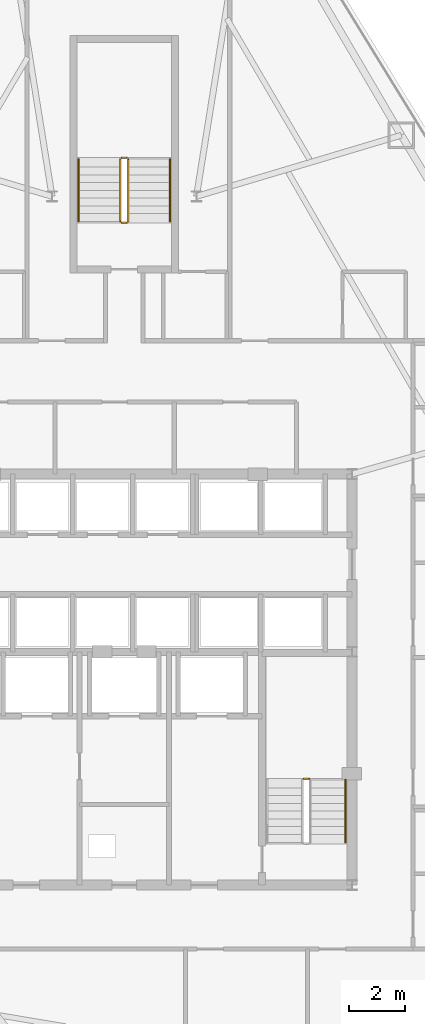
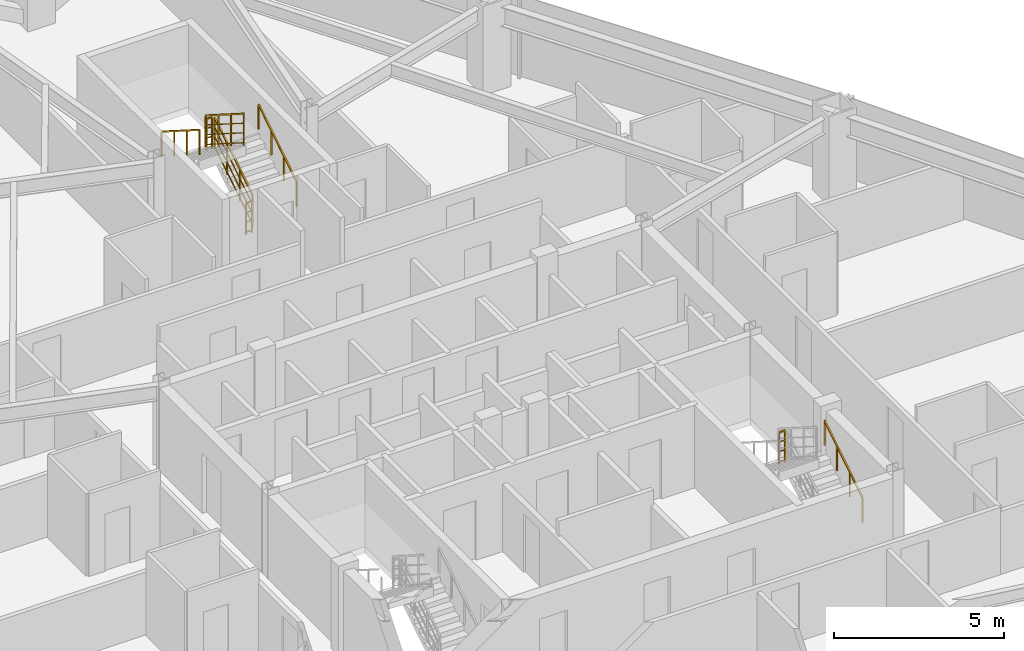
# One storey, part 13 of 13: 8 railings.
"""IFC4 building model written with IfcOpenShell, lengths in metres."""

from ifc_helpers import new_model, si_unit, direction, frame, origin, origin_2d, place, context, subcontext, project, spatial, rectangle, extrude, material, type_object, element, save


model = new_model("IFC4")

# Units and contexts
model_context = context("Model", 3, precision=1e-05, world=origin(), true_north=direction((0.0, 1.0)))
body_context = subcontext(model_context, "Body", "Model", "MODEL_VIEW")
ifc_project = project(units=[si_unit("LENGTHUNIT", "METRE"), si_unit("AREAUNIT", "SQUARE_METRE"), si_unit("VOLUMEUNIT", "CUBIC_METRE"), si_unit("PLANEANGLEUNIT", "RADIAN"), si_unit("MASSUNIT", "GRAM", prefix="KILO")], contexts=[model_context])

# Site, building, storey
site_placement = place(None, origin())
site = spatial("IfcSite", under=ifc_project, at=site_placement, CompositionType="ELEMENT")
building_placement = place(site_placement, origin())
building = spatial("IfcBuilding", under=site, at=building_placement, Name="Varakhsha Concourse Tower", CompositionType="ELEMENT")
storey_placement = place(building_placement, frame((0.0, 0.0, 102.199951171875)))
storey = spatial("IfcBuildingStorey", under=building, at=storey_placement, Name="L29", CompositionType="ELEMENT", Elevation=102.199951171875)

# Railings
ifc_material = material(Name="Brushed Austenitic Stainless Steel AISI 316", Category="steel")
railing_type_1 = type_object("IfcRailingType", Name="RL-STAIR-GUARD-1100", PredefinedType="GUARDRAIL", material=ifc_material)
railing_1_placement = place(storey_placement, frame((46.659912109375, 20.22998046875, 1.60009765625)))
element("IfcRailing", 1, at=railing_1_placement, inside=storey, type_object=railing_type_1, Name="L29 ST2 stair guard 2", PredefinedType="GUARDRAIL", context=body_context, shape_type="SweptSolid", body=[
    extrude(rectangle(XDim=0.048095703125, YDim=0.048095703125, at=origin_2d()), frame((0.0, 0.0, 1.1259765625), z_axis=(-1.0, 0.0, 0.0), x_axis=(0.0, -1.0, 0.0)), (0.0, 0.0, 1.0), 0.199951171875),
    extrude(rectangle(XDim=0.028076171875, YDim=0.028076171875, at=origin_2d()), frame((0.0, 0.0, 0.080078125), z_axis=(-1.0, 0.0, 0.0), x_axis=(0.0, -1.0, 0.0)), (0.0, 0.0, 1.0), 0.199951171875),
    extrude(rectangle(XDim=0.028076171875, YDim=0.028076171875, at=origin_2d()), frame((0.0, 0.0, 0.43701171875), z_axis=(-1.0, 0.0, 0.0), x_axis=(0.0, -1.0, 0.0)), (0.0, 0.0, 1.0), 0.199951171875),
    extrude(rectangle(XDim=0.028076171875, YDim=0.028076171875, at=origin_2d()), frame((0.0, 0.0, 0.781982421875), z_axis=(-1.0, 0.0, 0.0), x_axis=(0.0, -1.0, 0.0)), (0.0, 0.0, 1.0), 0.199951171875),
    extrude(rectangle(XDim=0.0419921875, YDim=0.0419921875, at=origin_2d()), origin(), (0.0, 0.0, 1.0), 1.101806640625),
    extrude(rectangle(XDim=0.0419921875, YDim=0.0419921875, at=origin_2d()), frame((-0.199951171875, 0.0, 0.0)), (0.0, 0.0, 1.0), 1.101806640625),
])
railing_2_placement = place(storey_placement, frame((40.14990234375, 40.300048828125, 0.177734375)))
element("IfcRailing", 2, at=railing_2_placement, inside=storey, type_object=railing_type_1, Name="L29 ST5 stair guard 1", PredefinedType="GUARDRAIL", context=body_context, shape_type="SweptSolid", body=[
    extrude(rectangle(XDim=0.048095703125, YDim=0.048095703125, at=origin_2d()), frame((0.0, 0.0, 1.1259765625), z_axis=(0.0, 0.84418770128, 0.536047689118), x_axis=(-1.0, 0.0, 0.0)), (0.0, 0.0, 1.0), 2.6533203125),
    extrude(rectangle(XDim=0.028076171875, YDim=0.028076171875, at=origin_2d()), frame((0.0, 0.0, 0.080078125), z_axis=(0.0, 0.84418770128, 0.536047689118), x_axis=(-1.0, 0.0, 0.0)), (0.0, 0.0, 1.0), 2.6533203125),
    extrude(rectangle(XDim=0.028076171875, YDim=0.028076171875, at=origin_2d()), frame((0.0, 0.0, 0.43701171875), z_axis=(0.0, 0.84418770128, 0.536047689118), x_axis=(-1.0, 0.0, 0.0)), (0.0, 0.0, 1.0), 2.6533203125),
    extrude(rectangle(XDim=0.028076171875, YDim=0.028076171875, at=origin_2d()), frame((0.0, 0.0, 0.781982421875), z_axis=(0.0, 0.84418770128, 0.536047689118), x_axis=(-1.0, 0.0, 0.0)), (0.0, 0.0, 1.0), 2.6533203125),
    extrude(rectangle(XDim=0.0419921875, YDim=0.0419921875, at=origin_2d()), origin(), (0.0, 0.0, 1.0), 1.101806640625),
    extrude(rectangle(XDim=0.0419921875, YDim=0.0419921875, at=origin_2d()), frame((0.0, 0.74658203125, 0.47412109375)), (0.0, 0.0, 1.0), 1.101806640625),
    extrude(rectangle(XDim=0.0419921875, YDim=0.0419921875, at=origin_2d()), frame((0.0, 1.493408203125, 0.9482421875)), (0.0, 0.0, 1.0), 1.101806640625),
    extrude(rectangle(XDim=0.0419921875, YDim=0.0419921875, at=origin_2d()), frame((0.0, 2.239990234375, 1.42236328125)), (0.0, 0.0, 1.0), 1.101806640625),
])
railing_3_placement = place(storey_placement, frame((40.10009765625, 42.590087890625, 1.60009765625)))
element("IfcRailing", 3, at=railing_3_placement, inside=storey, type_object=railing_type_1, Name="L29 ST5 stair guard 2", PredefinedType="GUARDRAIL", context=body_context, shape_type="SweptSolid", body=[
    extrude(rectangle(XDim=0.048095703125, YDim=0.048095703125, at=origin_2d()), frame((0.0, 0.0, 1.1259765625), z_axis=(-1.0, 0.0, 0.0), x_axis=(0.0, -1.0, 0.0)), (0.0, 0.0, 1.0), 0.2001953125),
    extrude(rectangle(XDim=0.028076171875, YDim=0.028076171875, at=origin_2d()), frame((0.0, 0.0, 0.080078125), z_axis=(-1.0, 0.0, 0.0), x_axis=(0.0, -1.0, 0.0)), (0.0, 0.0, 1.0), 0.2001953125),
    extrude(rectangle(XDim=0.028076171875, YDim=0.028076171875, at=origin_2d()), frame((0.0, 0.0, 0.43701171875), z_axis=(-1.0, 0.0, 0.0), x_axis=(0.0, -1.0, 0.0)), (0.0, 0.0, 1.0), 0.2001953125),
    extrude(rectangle(XDim=0.028076171875, YDim=0.028076171875, at=origin_2d()), frame((0.0, 0.0, 0.781982421875), z_axis=(-1.0, 0.0, 0.0), x_axis=(0.0, -1.0, 0.0)), (0.0, 0.0, 1.0), 0.2001953125),
    extrude(rectangle(XDim=0.0419921875, YDim=0.0419921875, at=origin_2d()), origin(), (0.0, 0.0, 1.0), 1.101806640625),
    extrude(rectangle(XDim=0.0419921875, YDim=0.0419921875, at=origin_2d()), frame((-0.2001953125, 0.0, 0.0)), (0.0, 0.0, 1.0), 1.101806640625),
])
railing_4_placement = place(storey_placement, frame((39.85009765625, 42.5400390625, 1.77783203125)))
element("IfcRailing", 4, at=railing_4_placement, inside=storey, type_object=railing_type_1, Name="L29 ST5 stair guard 3", PredefinedType="GUARDRAIL", context=body_context, shape_type="SweptSolid", body=[
    extrude(rectangle(XDim=0.048095703125, YDim=0.048095703125, at=origin_2d()), frame((0.0, 0.0, 1.1259765625), z_axis=(0.0, -0.8442293374, 0.53598211339), x_axis=(1.0, 0.0, 0.0)), (0.0, 0.0, 1.0), 2.6533203125),
    extrude(rectangle(XDim=0.028076171875, YDim=0.028076171875, at=origin_2d()), frame((0.0, 0.0, 0.080078125), z_axis=(0.0, -0.8442293374, 0.53598211339), x_axis=(1.0, 0.0, 0.0)), (0.0, 0.0, 1.0), 2.6533203125),
    extrude(rectangle(XDim=0.028076171875, YDim=0.028076171875, at=origin_2d()), frame((0.0, 0.0, 0.43701171875), z_axis=(0.0, -0.8442293374, 0.53598211339), x_axis=(1.0, 0.0, 0.0)), (0.0, 0.0, 1.0), 2.6533203125),
    extrude(rectangle(XDim=0.028076171875, YDim=0.028076171875, at=origin_2d()), frame((0.0, 0.0, 0.781982421875), z_axis=(0.0, -0.8442293374, 0.53598211339), x_axis=(1.0, 0.0, 0.0)), (0.0, 0.0, 1.0), 2.6533203125),
    extrude(rectangle(XDim=0.0419921875, YDim=0.0419921875, at=origin_2d()), origin(), (0.0, 0.0, 1.0), 1.101806640625),
    extrude(rectangle(XDim=0.0419921875, YDim=0.0419921875, at=origin_2d()), frame((0.0, -0.74658203125, 0.47412109375)), (0.0, 0.0, 1.0), 1.101806640625),
    extrude(rectangle(XDim=0.0419921875, YDim=0.0419921875, at=origin_2d()), frame((0.0, -1.493408203125, 0.947998046875)), (0.0, 0.0, 1.0), 1.101806640625),
    extrude(rectangle(XDim=0.0419921875, YDim=0.0419921875, at=origin_2d()), frame((0.0, -2.239990234375, 1.422119140625)), (0.0, 0.0, 1.0), 1.101806640625),
])
railing_5_placement = place(storey_placement, frame((40.10009765625, 40.25, 0.0)))
element("IfcRailing", 5, at=railing_5_placement, inside=storey, type_object=railing_type_1, Name="L29 ST5 stair guard 4", PredefinedType="GUARDRAIL", context=body_context, shape_type="SweptSolid", body=[
    extrude(rectangle(XDim=0.048095703125, YDim=0.048095703125, at=origin_2d()), frame((0.0, 0.0, 1.1259765625), z_axis=(-1.0, 0.0, 0.0), x_axis=(0.0, -1.0, 0.0)), (0.0, 0.0, 1.0), 0.2001953125),
    extrude(rectangle(XDim=0.028076171875, YDim=0.028076171875, at=origin_2d()), frame((0.0, 0.0, 0.080078125), z_axis=(-1.0, 0.0, 0.0), x_axis=(0.0, -1.0, 0.0)), (0.0, 0.0, 1.0), 0.2001953125),
    extrude(rectangle(XDim=0.028076171875, YDim=0.028076171875, at=origin_2d()), frame((0.0, 0.0, 0.43701171875), z_axis=(-1.0, 0.0, 0.0), x_axis=(0.0, -1.0, 0.0)), (0.0, 0.0, 1.0), 0.2001953125),
    extrude(rectangle(XDim=0.028076171875, YDim=0.028076171875, at=origin_2d()), frame((0.0, 0.0, 0.781982421875), z_axis=(-1.0, 0.0, 0.0), x_axis=(0.0, -1.0, 0.0)), (0.0, 0.0, 1.0), 0.2001953125),
    extrude(rectangle(XDim=0.0419921875, YDim=0.0419921875, at=origin_2d()), origin(), (0.0, 0.0, 1.0), 1.101806640625),
    extrude(rectangle(XDim=0.0419921875, YDim=0.0419921875, at=origin_2d()), frame((-0.2001953125, 0.0, 0.0)), (0.0, 0.0, 1.0), 1.101806640625),
])
railing_type_2 = type_object("IfcRailingType", Name="RL-STAIR-RAIL-915", PredefinedType="HANDRAIL", material=ifc_material)
for number, where, name in (
    (6, (47.969970703125, 17.93994140625, 0.355712890625), "L29 ST2 stair handrail 1"),
    (7, (41.64990234375, 40.300048828125, 0.355712890625), "L29 ST5 stair handrail 1"),
):
    element("IfcRailing", number, at=place(storey_placement, frame(where)), inside=storey, type_object=railing_type_2, Name=name, PredefinedType="HANDRAIL", context=body_context, shape_type="SweptSolid", body=[
        extrude(rectangle(XDim=0.048095703125, YDim=0.048095703125, at=origin_2d()), frame((0.0, 0.0, 0.89111328125), z_axis=(0.0, 0.8442293374, 0.53598211339), x_axis=(-1.0, 0.0, 0.0)), (0.0, 0.0, 1.0), 2.6533203125),
        extrude(rectangle(XDim=0.0419921875, YDim=0.0419921875, at=origin_2d()), origin(), (0.0, 0.0, 1.0), 0.866943359375),
        extrude(rectangle(XDim=0.0419921875, YDim=0.0419921875, at=origin_2d()), frame((0.0, 0.74658203125, 0.47412109375)), (0.0, 0.0, 1.0), 0.866943359375),
        extrude(rectangle(XDim=0.0419921875, YDim=0.0419921875, at=origin_2d()), frame((0.0, 1.493408203125, 0.947998046875)), (0.0, 0.0, 1.0), 0.866943359375),
        extrude(rectangle(XDim=0.0419921875, YDim=0.0419921875, at=origin_2d()), frame((0.0, 2.239990234375, 1.422119140625)), (0.0, 0.0, 1.0), 0.866943359375),
    ])
railing_6_placement = place(storey_placement, frame((38.35009765625, 42.5400390625, 1.95556640625)))
element("IfcRailing", 8, at=railing_6_placement, inside=storey, type_object=railing_type_2, Name="L29 ST5 stair handrail 2", PredefinedType="HANDRAIL", context=body_context, shape_type="SweptSolid", body=[
    extrude(rectangle(XDim=0.048095703125, YDim=0.048095703125, at=origin_2d()), frame((0.0, 0.0, 0.89111328125), z_axis=(0.0, -0.84418770128, 0.536047689118), x_axis=(1.0, 0.0, 0.0)), (0.0, 0.0, 1.0), 2.6533203125),
    extrude(rectangle(XDim=0.0419921875, YDim=0.0419921875, at=origin_2d()), origin(), (0.0, 0.0, 1.0), 0.866943359375),
    extrude(rectangle(XDim=0.0419921875, YDim=0.0419921875, at=origin_2d()), frame((0.0, -0.74658203125, 0.47412109375)), (0.0, 0.0, 1.0), 0.866943359375),
    extrude(rectangle(XDim=0.0419921875, YDim=0.0419921875, at=origin_2d()), frame((0.0, -1.493408203125, 0.9482421875)), (0.0, 0.0, 1.0), 0.866943359375),
    extrude(rectangle(XDim=0.0419921875, YDim=0.0419921875, at=origin_2d()), frame((0.0, -2.239990234375, 1.42236328125)), (0.0, 0.0, 1.0), 0.866943359375),
])

save(model, "model.ifc")
